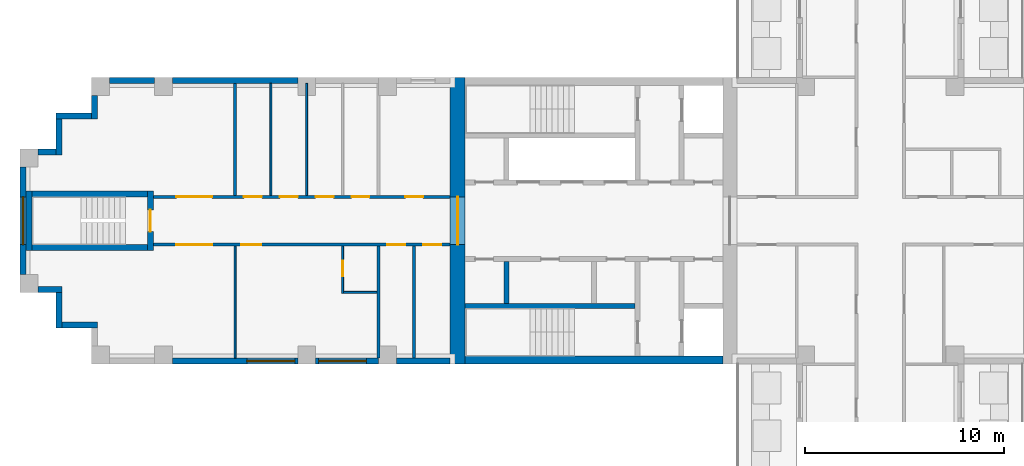
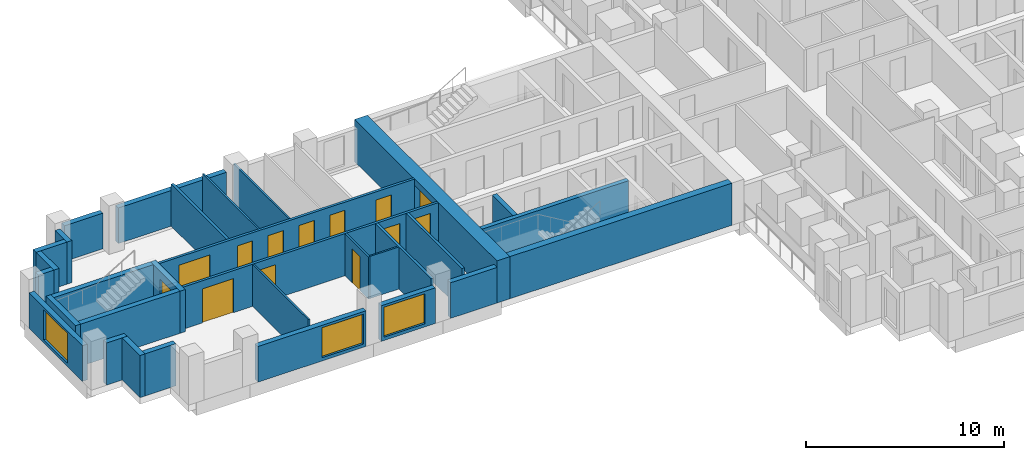
# One storey, part 2 of 10: 31 walls, 13 doors, 3 windows, 16 openings.
"""IFC4 building model written with IfcOpenShell, lengths in metres."""

from ifc_helpers import new_model, si_unit, direction, frame, frame_2d, origin, place, context, subcontext, project, spatial, rectangle, extrude, material, layer, layer_set, type_object, element, fill, save


model = new_model("IFC4")

# Units and contexts
model_context = context("Model", 3, precision=1e-05, world=origin(), true_north=direction((0.0, 1.0)))
body_context = subcontext(model_context, "Body", "Model", "MODEL_VIEW")
ifc_project = project(units=[si_unit("LENGTHUNIT", "METRE"), si_unit("AREAUNIT", "SQUARE_METRE"), si_unit("VOLUMEUNIT", "CUBIC_METRE"), si_unit("PLANEANGLEUNIT", "RADIAN"), si_unit("MASSUNIT", "GRAM", prefix="KILO")], contexts=[model_context])

# Site, building, storey
site_placement = place(None, origin())
site = spatial("IfcSite", under=ifc_project, at=site_placement, CompositionType="ELEMENT")
building_placement = place(site_placement, origin())
building = spatial("IfcBuilding", under=site, at=building_placement, Name="Fustian Cross Tower", CompositionType="ELEMENT")
storey_placement = place(building_placement, frame((0.0, 0.0, 182.699951171875)))
storey = spatial("IfcBuildingStorey", under=building, at=storey_placement, Name="L57", CompositionType="ELEMENT", Elevation=182.699951171875)

# Wall, openings, doors
ifc_material_1 = material(Name="Plasterboard on steel stud", Category="steel")
ifc_layer_1 = layer(ifc_material_1, 0.14990234375)
ifc_layer_set_1 = layer_set([ifc_layer_1], Name="Plasterboard on steel stud")
wall_type_1 = type_object("IfcWallType", Name="COMPARTMENT WALL 150 EI 60", PredefinedType="PARTITIONING", material=ifc_layer_set_1)
wall_1_placement = place(storey_placement, frame((-36.5, -1.199951171875, 0.0), z_axis=(0.0, 0.0, 1.0), x_axis=(1.0, 0.0, 0.0)))
wall_1 = element("IfcWall", 1, at=wall_1_placement, inside=storey, type_object=wall_type_1, Name="Partition 1", PredefinedType="PARTITIONING", context=body_context, shape_type="SweptSolid", body=[
    extrude(rectangle(XDim=14.89990234375, YDim=0.14990234375, at=frame_2d((7.449951171875, 0.0))), origin(), (0.0, 0.0, 1.0), 2.60009765625),
])
opening_1_placement = place(wall_1_placement, frame((13.550048828125, 0.0, 0.0)))
opening_1 = element("IfcOpeningElement", 2, at=opening_1_placement, cuts=wall_1, Name="Opening D26027", PredefinedType="OPENING", context=body_context, shape_type="SweptSolid", body=[
    extrude(rectangle(XDim=0.89990234375, YDim=2.10009765625, at=frame_2d((0.449951171875, 1.050048828125))), frame((0.0, 0.0849609375, 0.0), z_axis=(0.0, -1.0, 0.0), x_axis=(1.0, 0.0, 0.0)), (0.0, 0.0, 1.0), 0.169921875),
])
opening_2_placement = place(wall_1_placement, frame((11.75, 0.0, 0.0)))
opening_2 = element("IfcOpeningElement", 3, at=opening_2_placement, cuts=wall_1, Name="Opening D26028", PredefinedType="OPENING", context=body_context, shape_type="SweptSolid", body=[
    extrude(rectangle(XDim=0.89990234375, YDim=2.10009765625, at=frame_2d((0.449951171875, 1.050048828125))), frame((0.0, 0.0849609375, 0.0), z_axis=(0.0, -1.0, 0.0), x_axis=(1.0, 0.0, 0.0)), (0.0, 0.0, 1.0), 0.169921875),
])
opening_3_placement = place(wall_1_placement, frame((4.409912109375, 0.0, 0.0)))
opening_3 = element("IfcOpeningElement", 4, at=opening_3_placement, cuts=wall_1, Name="Opening D26030", PredefinedType="OPENING", context=body_context, shape_type="SweptSolid", body=[
    extrude(rectangle(XDim=1.0, YDim=2.10009765625, at=frame_2d((0.5, 1.050048828125))), frame((0.0, 0.0849609375, 0.0), z_axis=(0.0, -1.0, 0.0), x_axis=(1.0, 0.0, 0.0)), (0.0, 0.0, 1.0), 0.169921875),
])
opening_4_placement = place(wall_1_placement, frame((1.14990234375, 0.0, 0.0)))
opening_4 = element("IfcOpeningElement", 5, at=opening_4_placement, cuts=wall_1, Name="Opening D26031", PredefinedType="OPENING", context=body_context, shape_type="SweptSolid", body=[
    extrude(rectangle(XDim=1.800048828125, YDim=2.10009765625, at=frame_2d((0.89990234375, 1.050048828125))), frame((0.0, 0.0849609375, 0.0), z_axis=(0.0, -1.0, 0.0), x_axis=(1.0, 0.0, 0.0)), (0.0, 0.0, 1.0), 0.169921875),
])
ifc_material_2 = material(Name="Timber fire door set", Category="wood")
door_type_1 = type_object("IfcDoorType", Name="FIRE DOUBLE DOOR 1800 FD30S", OperationType="DOUBLE_DOOR_DOUBLE_SWING", PredefinedType="DOOR", material=ifc_material_2)
door_1_placement = place(opening_4_placement, origin())
door_1 = element("IfcDoor", 6, at=door_1_placement, inside=storey, type_object=door_type_1, Name="Door D26031", OperationType="DOUBLE_DOOR_DOUBLE_SWING", OverallHeight=2.10009765625, OverallWidth=1.800048828125, PredefinedType="DOOR", context=body_context, shape_type="SweptSolid", body=[
    extrude(rectangle(XDim=1.800048828125, YDim=2.10009765625, at=frame_2d((0.89990234375, 1.050048828125))), frame((0.0, 0.02490234375, 0.0), z_axis=(0.0, -1.0, 0.0), x_axis=(1.0, 0.0, 0.0)), (0.0, 0.0, 1.0), 0.050048828125),
])
fill(opening_4, door_1)
ifc_material_3 = material(Name="Timber fire door set", Category="wood")
door_type_2 = type_object("IfcDoorType", Name="FIRE SWING DOOR 1000 FD30S", OperationType="SINGLE_SWING_LEFT", PredefinedType="DOOR", material=ifc_material_3)
door_2_placement = place(opening_3_placement, frame((1.0, 0.0, 0.0), z_axis=(0.0, 0.0, 1.0), x_axis=(-1.0, 0.0, 0.0)))
door_2 = element("IfcDoor", 7, at=door_2_placement, inside=storey, type_object=door_type_2, Name="Door D26030", OperationType="SINGLE_SWING_RIGHT", OverallHeight=2.10009765625, OverallWidth=1.0, PredefinedType="DOOR", context=body_context, shape_type="SweptSolid", body=[
    extrude(rectangle(XDim=1.0, YDim=2.10009765625, at=frame_2d((0.5, 1.050048828125))), frame((0.0, 0.02490234375, 0.0), z_axis=(0.0, -1.0, 0.0), x_axis=(1.0, 0.0, 0.0)), (0.0, 0.0, 1.0), 0.050048828125),
])
fill(opening_3, door_2)
ifc_material_4 = material(Name="Timber fire door set", Category="wood")
door_type_3 = type_object("IfcDoorType", Name="FIRE SWING DOOR 900 FD30S", OperationType="SINGLE_SWING_LEFT", PredefinedType="DOOR", material=ifc_material_4)
door_3_placement = place(opening_1_placement, frame((0.89990234375, 0.0, 0.0), z_axis=(0.0, 0.0, 1.0), x_axis=(-1.0, 0.0, 0.0)))
door_3 = element("IfcDoor", 8, at=door_3_placement, inside=storey, type_object=door_type_3, Name="Door D26027", OperationType="SINGLE_SWING_LEFT", OverallHeight=2.10009765625, OverallWidth=0.89990234375, PredefinedType="DOOR", context=body_context, shape_type="SweptSolid", body=[
    extrude(rectangle(XDim=0.89990234375, YDim=2.10009765625, at=frame_2d((0.449951171875, 1.050048828125))), frame((0.0, 0.02490234375, 0.0), z_axis=(0.0, -1.0, 0.0), x_axis=(1.0, 0.0, 0.0)), (0.0, 0.0, 1.0), 0.050048828125),
])
fill(opening_1, door_3)
door_4_placement = place(opening_2_placement, origin())
door_4 = element("IfcDoor", 9, at=door_4_placement, inside=storey, type_object=door_type_3, Name="Door D26028", OperationType="SINGLE_SWING_RIGHT", OverallHeight=2.10009765625, OverallWidth=0.89990234375, PredefinedType="DOOR", context=body_context, shape_type="SweptSolid", body=[
    extrude(rectangle(XDim=0.89990234375, YDim=2.10009765625, at=frame_2d((0.449951171875, 1.050048828125))), frame((0.0, 0.02490234375, 0.0), z_axis=(0.0, -1.0, 0.0), x_axis=(1.0, 0.0, 0.0)), (0.0, 0.0, 1.0), 0.050048828125),
])
fill(opening_2, door_4)

wall_2_placement = place(storey_placement, frame((-36.5, 1.199951171875, 0.0), z_axis=(0.0, 0.0, 1.0), x_axis=(1.0, 0.0, 0.0)))
wall_2 = element("IfcWall", 10, at=wall_2_placement, inside=storey, type_object=wall_type_1, Name="Partition 2", PredefinedType="PARTITIONING", context=body_context, shape_type="SweptSolid", body=[
    extrude(rectangle(XDim=14.89990234375, YDim=0.14990234375, at=frame_2d((7.449951171875, 0.0))), origin(), (0.0, 0.0, 1.0), 2.60009765625),
])
opening_5_placement = place(wall_2_placement, frame((12.64990234375, 0.0, 0.0)))
opening_5 = element("IfcOpeningElement", 11, at=opening_5_placement, cuts=wall_2, Name="Opening D26032", PredefinedType="OPENING", context=body_context, shape_type="SweptSolid", body=[
    extrude(rectangle(XDim=0.89990234375, YDim=2.10009765625, at=frame_2d((0.449951171875, 1.050048828125))), frame((0.0, 0.0849609375, 0.0), z_axis=(0.0, -1.0, 0.0), x_axis=(1.0, 0.0, 0.0)), (0.0, 0.0, 1.0), 0.169921875),
])
opening_6_placement = place(wall_2_placement, frame((9.949951171875, 0.0, 0.0)))
opening_6 = element("IfcOpeningElement", 12, at=opening_6_placement, cuts=wall_2, Name="Opening D26033", PredefinedType="OPENING", context=body_context, shape_type="SweptSolid", body=[
    extrude(rectangle(XDim=0.89990234375, YDim=2.10009765625, at=frame_2d((0.449951171875, 1.050048828125))), frame((0.0, 0.0849609375, 0.0), z_axis=(0.0, -1.0, 0.0), x_axis=(1.0, 0.0, 0.0)), (0.0, 0.0, 1.0), 0.169921875),
])
opening_7_placement = place(wall_2_placement, frame((8.14990234375, 0.0, 0.0)))
opening_7 = element("IfcOpeningElement", 13, at=opening_7_placement, cuts=wall_2, Name="Opening D26034", PredefinedType="OPENING", context=body_context, shape_type="SweptSolid", body=[
    extrude(rectangle(XDim=0.89990234375, YDim=2.10009765625, at=frame_2d((0.449951171875, 1.050048828125))), frame((0.0, 0.0849609375, 0.0), z_axis=(0.0, -1.0, 0.0), x_axis=(1.0, 0.0, 0.0)), (0.0, 0.0, 1.0), 0.169921875),
])
opening_8_placement = place(wall_2_placement, frame((6.35009765625, 0.0, 0.0)))
opening_8 = element("IfcOpeningElement", 14, at=opening_8_placement, cuts=wall_2, Name="Opening D26035", PredefinedType="OPENING", context=body_context, shape_type="SweptSolid", body=[
    extrude(rectangle(XDim=0.89990234375, YDim=2.10009765625, at=frame_2d((0.449951171875, 1.050048828125))), frame((0.0, 0.0849609375, 0.0), z_axis=(0.0, -1.0, 0.0), x_axis=(1.0, 0.0, 0.0)), (0.0, 0.0, 1.0), 0.169921875),
])
opening_9_placement = place(wall_2_placement, frame((4.550048828125, 0.0, 0.0)))
opening_9 = element("IfcOpeningElement", 15, at=opening_9_placement, cuts=wall_2, Name="Opening D26036", PredefinedType="OPENING", context=body_context, shape_type="SweptSolid", body=[
    extrude(rectangle(XDim=0.89990234375, YDim=2.10009765625, at=frame_2d((0.449951171875, 1.050048828125))), frame((0.0, 0.0849609375, 0.0), z_axis=(0.0, -1.0, 0.0), x_axis=(1.0, 0.0, 0.0)), (0.0, 0.0, 1.0), 0.169921875),
])
opening_10_placement = place(wall_2_placement, frame((1.14990234375, 0.0, 0.0)))
opening_10 = element("IfcOpeningElement", 16, at=opening_10_placement, cuts=wall_2, Name="Opening D26037", PredefinedType="OPENING", context=body_context, shape_type="SweptSolid", body=[
    extrude(rectangle(XDim=1.800048828125, YDim=2.10009765625, at=frame_2d((0.89990234375, 1.050048828125))), frame((0.0, 0.0849609375, 0.0), z_axis=(0.0, -1.0, 0.0), x_axis=(1.0, 0.0, 0.0)), (0.0, 0.0, 1.0), 0.169921875),
])
door_5_placement = place(opening_10_placement, frame((1.800048828125, 0.0, 0.0), z_axis=(0.0, 0.0, 1.0), x_axis=(-1.0, 0.0, 0.0)))
door_5 = element("IfcDoor", 17, at=door_5_placement, inside=storey, type_object=door_type_1, Name="Door D26037", OperationType="DOUBLE_DOOR_DOUBLE_SWING", OverallHeight=2.10009765625, OverallWidth=1.800048828125, PredefinedType="DOOR", context=body_context, shape_type="SweptSolid", body=[
    extrude(rectangle(XDim=1.800048828125, YDim=2.10009765625, at=frame_2d((0.89990234375, 1.050048828125))), frame((0.0, 0.02490234375, 0.0), z_axis=(0.0, -1.0, 0.0), x_axis=(1.0, 0.0, 0.0)), (0.0, 0.0, 1.0), 0.050048828125),
])
fill(opening_10, door_5)
door_6_placement = place(opening_5_placement, origin())
door_6 = element("IfcDoor", 18, at=door_6_placement, inside=storey, type_object=door_type_3, Name="Door D26032", OperationType="SINGLE_SWING_LEFT", OverallHeight=2.10009765625, OverallWidth=0.89990234375, PredefinedType="DOOR", context=body_context, shape_type="SweptSolid", body=[
    extrude(rectangle(XDim=0.89990234375, YDim=2.10009765625, at=frame_2d((0.449951171875, 1.050048828125))), frame((0.0, 0.02490234375, 0.0), z_axis=(0.0, -1.0, 0.0), x_axis=(1.0, 0.0, 0.0)), (0.0, 0.0, 1.0), 0.050048828125),
])
fill(opening_5, door_6)
door_7_placement = place(opening_6_placement, origin())
door_7 = element("IfcDoor", 19, at=door_7_placement, inside=storey, type_object=door_type_3, Name="Door D26033", OperationType="SINGLE_SWING_RIGHT", OverallHeight=2.10009765625, OverallWidth=0.89990234375, PredefinedType="DOOR", context=body_context, shape_type="SweptSolid", body=[
    extrude(rectangle(XDim=0.89990234375, YDim=2.10009765625, at=frame_2d((0.449951171875, 1.050048828125))), frame((0.0, 0.02490234375, 0.0), z_axis=(0.0, -1.0, 0.0), x_axis=(1.0, 0.0, 0.0)), (0.0, 0.0, 1.0), 0.050048828125),
])
fill(opening_6, door_7)
door_8_placement = place(opening_7_placement, origin())
door_8 = element("IfcDoor", 20, at=door_8_placement, inside=storey, type_object=door_type_3, Name="Door D26034", OperationType="SINGLE_SWING_RIGHT", OverallHeight=2.10009765625, OverallWidth=0.89990234375, PredefinedType="DOOR", context=body_context, shape_type="SweptSolid", body=[
    extrude(rectangle(XDim=0.89990234375, YDim=2.10009765625, at=frame_2d((0.449951171875, 1.050048828125))), frame((0.0, 0.02490234375, 0.0), z_axis=(0.0, -1.0, 0.0), x_axis=(1.0, 0.0, 0.0)), (0.0, 0.0, 1.0), 0.050048828125),
])
fill(opening_7, door_8)
door_9_placement = place(opening_8_placement, origin())
door_9 = element("IfcDoor", 21, at=door_9_placement, inside=storey, type_object=door_type_3, Name="Door D26035", OperationType="SINGLE_SWING_RIGHT", OverallHeight=2.10009765625, OverallWidth=0.89990234375, PredefinedType="DOOR", context=body_context, shape_type="SweptSolid", body=[
    extrude(rectangle(XDim=0.89990234375, YDim=2.10009765625, at=frame_2d((0.449951171875, 1.050048828125))), frame((0.0, 0.02490234375, 0.0), z_axis=(0.0, -1.0, 0.0), x_axis=(1.0, 0.0, 0.0)), (0.0, 0.0, 1.0), 0.050048828125),
])
fill(opening_8, door_9)
door_10_placement = place(opening_9_placement, origin())
door_10 = element("IfcDoor", 22, at=door_10_placement, inside=storey, type_object=door_type_3, Name="Door D26036", OperationType="SINGLE_SWING_RIGHT", OverallHeight=2.10009765625, OverallWidth=0.89990234375, PredefinedType="DOOR", context=body_context, shape_type="SweptSolid", body=[
    extrude(rectangle(XDim=0.89990234375, YDim=2.10009765625, at=frame_2d((0.449951171875, 1.050048828125))), frame((0.0, 0.02490234375, 0.0), z_axis=(0.0, -1.0, 0.0), x_axis=(1.0, 0.0, 0.0)), (0.0, 0.0, 1.0), 0.050048828125),
])
fill(opening_9, door_10)

# Walls
for number, where, z_axis, x_axis, name in (
    (23, (-32.39990234375, 1.27490234375, 0.0), (0.0, 0.0, 1.0), (0.0, 1.0, 0.0), "Partition 4"),
    (24, (-25.199951171875, -6.89990234375, 0.0), (0.0, 0.0, 1.0), (0.0, 1.0, 0.0), "Partition 10"),
    (25, (-23.39990234375, -6.89990234375, 0.0), (0.0, 0.0, 1.0), (0.0, 1.0, 0.0), "Partition 12"),
):
    element("IfcWall", number, at=place(storey_placement, frame(where, z_axis=z_axis, x_axis=x_axis)), inside=storey, type_object=wall_type_1, Name=name, PredefinedType="PARTITIONING", context=body_context, shape_type="SweptSolid", body=[
        extrude(rectangle(XDim=5.625, YDim=0.14990234375, at=frame_2d((2.8125, 0.0))), origin(), (0.0, 0.0, 1.0), 2.60009765625),
    ])

# Wall, opening, door
ifc_material_5 = material(Name="Concrete C50/60", Category="concrete")
ifc_layer_2 = layer(ifc_material_5, 0.75)
ifc_layer_set_2 = layer_set([ifc_layer_2], Name="Concrete C50/60")
wall_type_2 = type_object("IfcWallType", Name="CORE END WALL 750 C50/60", PredefinedType="SHEAR", material=ifc_layer_set_2)
wall_3_placement = place(storey_placement, frame((-21.22509765625, -7.199951171875, 0.0), z_axis=(0.0, 0.0, 1.0), x_axis=(0.0, 1.0, 0.0)))
wall_3 = element("IfcWall", 26, at=wall_3_placement, inside=storey, type_object=wall_type_2, Name="Core end wall", PredefinedType="SHEAR", context=body_context, shape_type="SweptSolid", body=[
    extrude(rectangle(XDim=14.39990234375, YDim=0.75, at=frame_2d((7.199951171875, 0.0))), origin(), (0.0, 0.0, 1.0), 2.60009765625),
])
opening_11_placement = place(wall_3_placement, frame((6.0, 0.0, 0.0)))
opening_11 = element("IfcOpeningElement", 27, at=opening_11_placement, cuts=wall_3, Name="Opening CD-23-30", PredefinedType="OPENING", context=body_context, shape_type="SweptSolid", body=[
    extrude(rectangle(XDim=2.39990234375, YDim=2.199951171875, at=frame_2d((1.199951171875, 1.10009765625))), frame((0.0, 0.385009765625, 0.0), z_axis=(0.0, -1.0, 0.0), x_axis=(1.0, 0.0, 0.0)), (0.0, 0.0, 1.0), 0.77001953125),
])
ifc_material_6 = material(Name="Steel", Category="steel")
door_type_4 = type_object("IfcDoorType", Name="FIRE DOOR FD30S DOUBLE 2400X2200", OperationType="DOUBLE_DOOR_DOUBLE_SWING", PredefinedType="DOOR", material=ifc_material_6)
door_11_placement = place(opening_11_placement, frame((2.39990234375, 0.0, 0.0), z_axis=(0.0, 0.0, 1.0), x_axis=(-1.0, 0.0, 0.0)))
door_11 = element("IfcDoor", 28, at=door_11_placement, inside=storey, type_object=door_type_4, Name="Core door CD-23-30", OperationType="DOUBLE_DOOR_DOUBLE_SWING", OverallHeight=2.199951171875, OverallWidth=2.39990234375, PredefinedType="DOOR", context=body_context, shape_type="SweptSolid", body=[
    extrude(rectangle(XDim=2.39990234375, YDim=2.199951171875, at=frame_2d((1.199951171875, 1.10009765625))), frame((0.0, 0.02490234375, 0.0), z_axis=(0.0, -1.0, 0.0), x_axis=(1.0, 0.0, 0.0)), (0.0, 0.0, 1.0), 0.050048828125),
])
fill(opening_11, door_11)

# Walls
ifc_material_7 = material(Name="Concrete C50/60", Category="concrete")
ifc_layer_3 = layer(ifc_material_7, 0.39990234375)
ifc_layer_set_3 = layer_set([ifc_layer_3], Name="Concrete C50/60")
wall_type_3 = type_object("IfcWallType", Name="CORE FACADE WALL 400 C50/60", PredefinedType="SHEAR", material=ifc_layer_set_3)
wall_4_placement = place(storey_placement, frame((-7.89990234375, -7.0, 0.0), z_axis=(0.0, 0.0, 1.0), x_axis=(-1.0, 0.0, 0.0)))
element("IfcWall", 29, at=wall_4_placement, inside=storey, type_object=wall_type_3, Name="Core facade wall", PredefinedType="SHEAR", context=body_context, shape_type="SweptSolid", body=[
    extrude(rectangle(XDim=12.9501953125, YDim=0.39990234375, at=frame_2d((6.47509765625, 0.0))), origin(), (0.0, 0.0, 1.0), 2.60009765625),
])
ifc_material_8 = material(Name="Concrete C50/60", Category="concrete")
ifc_layer_4 = layer(ifc_material_8, 0.25)
ifc_layer_set_4 = layer_set([ifc_layer_4], Name="Concrete C50/60")
wall_type_4 = type_object("IfcWallType", Name="CORE SHAFT WALL 250 C50/60", PredefinedType="SHEAR", material=ifc_layer_set_4)
wall_5_placement = place(storey_placement, frame((-12.300048828125, -4.27490234375, 0.0), z_axis=(0.0, 0.0, 1.0), x_axis=(-1.0, 0.0, 0.0)))
element("IfcWall", 30, at=wall_5_placement, inside=storey, type_object=wall_type_4, Name="Core shaft wall", PredefinedType="SHEAR", context=body_context, shape_type="SweptSolid", body=[
    extrude(rectangle(XDim=8.550048828125, YDim=0.25, at=frame_2d((4.27490234375, 0.0))), origin(), (0.0, 0.0, 1.0), 2.60009765625),
])
ifc_material_9 = material(Name="Plasterboard on steel stud", Category="steel")
ifc_layer_5 = layer(ifc_material_9, 0.10009765625)
ifc_layer_set_5 = layer_set([ifc_layer_5], Name="Plasterboard on steel stud")
wall_type_5 = type_object("IfcWallType", Name="PARTITION 100 STUD", PredefinedType="PARTITIONING", material=ifc_layer_set_5)
for number, where, z_axis, x_axis, name in (
    (31, (-32.39990234375, -6.89990234375, 0.0), (0.0, 0.0, 1.0), (0.0, 1.0, 0.0), "Partition 3"),
    (32, (-30.60009765625, 1.27490234375, 0.0), (0.0, 0.0, 1.0), (0.0, 1.0, 0.0), "Partition 5"),
    (33, (-28.800048828125, 1.27490234375, 0.0), (0.0, 0.0, 1.0), (0.0, 1.0, 0.0), "Partition 6"),
):
    element("IfcWall", number, at=place(storey_placement, frame(where, z_axis=z_axis, x_axis=x_axis)), inside=storey, type_object=wall_type_5, Name=name, PredefinedType="PARTITIONING", context=body_context, shape_type="SweptSolid", body=[
        extrude(rectangle(XDim=5.625, YDim=0.10009765625, at=frame_2d((2.8125, 0.0))), origin(), (0.0, 0.0, 1.0), 2.60009765625),
    ])

# Wall, opening, door
wall_6_placement = place(storey_placement, frame((-27.0, -3.64990234375, 0.0), z_axis=(0.0, 0.0, 1.0), x_axis=(0.0, 1.0, 0.0)))
wall_6 = element("IfcWall", 34, at=wall_6_placement, inside=storey, type_object=wall_type_5, Name="Partition 7", PredefinedType="PARTITIONING", context=body_context, shape_type="SweptSolid", body=[
    extrude(rectangle(XDim=2.375, YDim=0.10009765625, at=frame_2d((1.1875, 0.0))), origin(), (0.0, 0.0, 1.0), 2.60009765625),
])
opening_12_placement = place(wall_6_placement, frame((0.85009765625, 0.0, 0.0)))
opening_12 = element("IfcOpeningElement", 35, at=opening_12_placement, cuts=wall_6, Name="Opening D26029", PredefinedType="OPENING", context=body_context, shape_type="SweptSolid", body=[
    extrude(rectangle(XDim=0.800048828125, YDim=2.10009765625, at=frame_2d((0.39990234375, 1.050048828125))), frame((0.0, 0.06005859375, 0.0), z_axis=(0.0, -1.0, 0.0), x_axis=(1.0, 0.0, 0.0)), (0.0, 0.0, 1.0), 0.1201171875),
])
ifc_material_10 = material(Name="Painted timber", Category="wood")
door_type_5 = type_object("IfcDoorType", Name="SWING DOOR 800", OperationType="SINGLE_SWING_LEFT", PredefinedType="DOOR", material=ifc_material_10)
door_12_placement = place(opening_12_placement, frame((0.800048828125, 0.0, 0.0), z_axis=(0.0, 0.0, 1.0), x_axis=(-1.0, 0.0, 0.0)))
door_12 = element("IfcDoor", 36, at=door_12_placement, inside=storey, type_object=door_type_5, Name="Door D26029", OperationType="SINGLE_SWING_RIGHT", OverallHeight=2.10009765625, OverallWidth=0.800048828125, PredefinedType="DOOR", context=body_context, shape_type="SweptSolid", body=[
    extrude(rectangle(XDim=0.800048828125, YDim=2.10009765625, at=frame_2d((0.39990234375, 1.050048828125))), frame((0.0, 0.02490234375, 0.0), z_axis=(0.0, -1.0, 0.0), x_axis=(1.0, 0.0, 0.0)), (0.0, 0.0, 1.0), 0.050048828125),
])
fill(opening_12, door_12)

# Walls
wall_7_placement = place(storey_placement, frame((-26.949951171875, -3.60009765625, 0.0), z_axis=(0.0, 0.0, 1.0), x_axis=(1.0, 0.0, 0.0)))
element("IfcWall", 37, at=wall_7_placement, inside=storey, type_object=wall_type_5, Name="Partition 8", PredefinedType="PARTITIONING", context=body_context, shape_type="SweptSolid", body=[
    extrude(rectangle(XDim=1.675048828125, YDim=0.10009765625, at=frame_2d((0.83740234375, 0.0))), origin(), (0.0, 0.0, 1.0), 2.60009765625),
])
ifc_material_11 = material(Name="Concrete C40/50", Category="concrete")
ifc_layer_6 = layer(ifc_material_11, 0.25)
ifc_layer_set_6 = layer_set([ifc_layer_6], Name="Concrete C40/50")
wall_type_6 = type_object("IfcWallType", Name="SHAFT PARTITION WALL 250 C40/50", PredefinedType="PARTITIONING", material=ifc_layer_set_6)
wall_8_placement = place(storey_placement, frame((-18.77490234375, -2.050048828125, 0.0), z_axis=(0.0, 0.0, 1.0), x_axis=(0.0, -1.0, 0.0)))
element("IfcWall", 38, at=wall_8_placement, inside=storey, type_object=wall_type_6, Name="Core shaft wall", PredefinedType="PARTITIONING", context=body_context, shape_type="SweptSolid", body=[
    extrude(rectangle(XDim=2.099853515625, YDim=0.25, at=frame_2d((1.0498046875, 0.0))), origin(), (0.0, 0.0, 1.0), 2.60009765625),
])

# Wall, opening, door
ifc_material_12 = material(Name="Concrete C50/60", Category="concrete")
ifc_layer_7 = layer(ifc_material_12, 0.300048828125)
ifc_layer_set_7 = layer_set([ifc_layer_7], Name="Concrete C50/60")
wall_type_7 = type_object("IfcWallType", Name="STAIR ENCLOSURE WALL 300 C50/60", PredefinedType="SHEAR", material=ifc_layer_set_7)
wall_9_placement = place(storey_placement, frame((-36.64990234375, -1.5, 0.0), z_axis=(0.0, 0.0, 1.0), x_axis=(0.0, 1.0, 0.0)))
wall_9 = element("IfcWall", 39, at=wall_9_placement, inside=storey, type_object=wall_type_7, Name="Stair enclosure wall", PredefinedType="SHEAR", context=body_context, shape_type="SweptSolid", body=[
    extrude(rectangle(XDim=3.0, YDim=0.300048828125, at=frame_2d((1.5, 0.0))), origin(), (0.0, 0.0, 1.0), 2.60009765625),
])
opening_13_placement = place(wall_9_placement, frame((0.949951171875, 0.0, 0.0)))
opening_13 = element("IfcOpeningElement", 40, at=opening_13_placement, cuts=wall_9, Name="Opening CD-23-35", PredefinedType="OPENING", context=body_context, shape_type="SweptSolid", body=[
    extrude(rectangle(XDim=1.10009765625, YDim=2.10009765625, at=frame_2d((0.550048828125, 1.050048828125))), frame((0.0, 0.159912109375, 0.0), z_axis=(0.0, -1.0, 0.0), x_axis=(1.0, 0.0, 0.0)), (0.0, 0.0, 1.0), 0.320068359375),
])
ifc_material_13 = material(Name="Steel", Category="steel")
door_type_6 = type_object("IfcDoorType", Name="FIRE DOOR FD60S 1100X2100", OperationType="SINGLE_SWING_LEFT", PredefinedType="DOOR", material=ifc_material_13)
door_13_placement = place(opening_13_placement, origin())
door_13 = element("IfcDoor", 41, at=door_13_placement, inside=storey, type_object=door_type_6, Name="Core door CD-23-35", OperationType="SINGLE_SWING_LEFT", OverallHeight=2.10009765625, OverallWidth=1.10009765625, PredefinedType="DOOR", context=body_context, shape_type="SweptSolid", body=[
    extrude(rectangle(XDim=1.10009765625, YDim=2.10009765625, at=frame_2d((0.550048828125, 1.050048828125))), frame((0.0, 0.02490234375, 0.0), z_axis=(0.0, -1.0, 0.0), x_axis=(1.0, 0.0, 0.0)), (0.0, 0.0, 1.0), 0.050048828125),
])
fill(opening_13, door_13)

# Walls
wall_10_placement = place(storey_placement, frame((-42.75, -1.5, 0.0), z_axis=(0.0, 0.0, 1.0), x_axis=(0.0, 1.0, 0.0)))
element("IfcWall", 42, at=wall_10_placement, inside=storey, type_object=wall_type_7, Name="Stair enclosure wall", PredefinedType="SHEAR", context=body_context, shape_type="SweptSolid", body=[
    extrude(rectangle(XDim=3.0, YDim=0.300048828125, at=frame_2d((1.5, 0.0))), origin(), (0.0, 0.0, 1.0), 2.60009765625),
])
for number, where, z_axis, x_axis, name in (
    (43, (-36.800048828125, -1.35009765625, 0.0), (0.0, 0.0, 1.0), (-1.0, 0.0, 0.0), "Stair enclosure wall"),
    (44, (-36.800048828125, 1.35009765625, 0.0), (0.0, 0.0, 1.0), (-1.0, 0.0, 0.0), "Stair enclosure wall"),
):
    element("IfcWall", number, at=place(storey_placement, frame(where, z_axis=z_axis, x_axis=x_axis)), inside=storey, type_object=wall_type_7, Name=name, PredefinedType="SHEAR", context=body_context, shape_type="SweptSolid", body=[
        extrude(rectangle(XDim=5.800048828125, YDim=0.300048828125, at=frame_2d((2.89990234375, 0.0))), origin(), (0.0, 0.0, 1.0), 2.60009765625),
    ])
ifc_material_14 = material(Name="Dark aluminium cladding on insulated backing wall", Category="aluminium")
ifc_layer_8 = layer(ifc_material_14, 0.300048828125)
ifc_layer_set_8 = layer_set([ifc_layer_8], Name="Dark aluminium cladding on insulated backing wall")
wall_type_8 = type_object("IfcWallType", Name="XW1 EXTERNAL WALL 300", PredefinedType="SOLIDWALL", material=ifc_layer_set_8)
wall_11_placement = place(storey_placement, frame((-29.25, 7.050048828125, 0.0), z_axis=(0.0, 0.0, 1.0), x_axis=(-1.0, 0.0, 0.0)))
element("IfcWall", 45, at=wall_11_placement, inside=storey, type_object=wall_type_8, Name="External wall", PredefinedType="SOLIDWALL", context=body_context, shape_type="SweptSolid", body=[
    extrude(rectangle(XDim=6.300048828125, YDim=0.300048828125, at=frame_2d((3.14990234375, 0.0))), origin(), (0.0, 0.0, 1.0), 2.199951171875),
])
wall_12_placement = place(storey_placement, frame((-36.449951171875, 7.050048828125, 0.0), z_axis=(0.0, 0.0, 1.0), x_axis=(-1.0, 0.0, 0.0)))
element("IfcWall", 46, at=wall_12_placement, inside=storey, type_object=wall_type_8, Name="External wall", PredefinedType="SOLIDWALL", context=body_context, shape_type="SweptSolid", body=[
    extrude(rectangle(XDim=2.25, YDim=0.300048828125, at=frame_2d((1.125, 0.0))), origin(), (0.0, 0.0, 1.0), 2.199951171875),
])
wall_13_placement = place(storey_placement, frame((-39.449951171875, 6.300048828125, 0.0), z_axis=(0.0, 0.0, 1.0), x_axis=(0.0, -1.0, 0.0)))
element("IfcWall", 47, at=wall_13_placement, inside=storey, type_object=wall_type_8, Name="External wall", PredefinedType="SOLIDWALL", context=body_context, shape_type="SweptSolid", body=[
    extrude(rectangle(XDim=1.199951171875, YDim=0.300048828125, at=frame_2d((0.60009765625, 0.0))), origin(), (0.0, 0.0, 1.0), 2.60009765625),
])
wall_14_placement = place(storey_placement, frame((-39.60009765625, 5.25, 0.0), z_axis=(0.0, 0.0, 1.0), x_axis=(-1.0, 0.0, 0.0)))
element("IfcWall", 48, at=wall_14_placement, inside=storey, type_object=wall_type_8, Name="External wall", PredefinedType="SOLIDWALL", context=body_context, shape_type="SweptSolid", body=[
    extrude(rectangle(XDim=1.7998046875, YDim=0.300048828125, at=frame_2d((0.89990234375, 0.0))), origin(), (0.0, 0.0, 1.0), 2.60009765625),
])
wall_15_placement = place(storey_placement, frame((-41.25, 5.10009765625, 0.0), z_axis=(0.0, 0.0, 1.0), x_axis=(0.0, -1.0, 0.0)))
element("IfcWall", 49, at=wall_15_placement, inside=storey, type_object=wall_type_8, Name="External wall", PredefinedType="SOLIDWALL", context=body_context, shape_type="SweptSolid", body=[
    extrude(rectangle(XDim=1.800048828125, YDim=0.300048828125, at=frame_2d((0.89990234375, 0.0))), origin(), (0.0, 0.0, 1.0), 2.60009765625),
])
wall_16_placement = place(storey_placement, frame((-41.39990234375, 3.449951171875, 0.0), z_axis=(0.0, 0.0, 1.0), x_axis=(-1.0, 0.0, 0.0)))
element("IfcWall", 50, at=wall_16_placement, inside=storey, type_object=wall_type_8, Name="External wall", PredefinedType="SOLIDWALL", context=body_context, shape_type="SweptSolid", body=[
    extrude(rectangle(XDim=0.900146484375, YDim=0.300048828125, at=frame_2d((0.4501953125, 0.0))), origin(), (0.0, 0.0, 1.0), 2.60009765625),
])

# Wall, opening, window
wall_17_placement = place(storey_placement, frame((-43.050048828125, 2.699951171875, 0.0), z_axis=(0.0, 0.0, 1.0), x_axis=(0.0, -1.0, 0.0)))
wall_17 = element("IfcWall", 51, at=wall_17_placement, inside=storey, type_object=wall_type_8, Name="External wall", PredefinedType="SOLIDWALL", context=body_context, shape_type="SweptSolid", body=[
    extrude(rectangle(XDim=5.39990234375, YDim=0.300048828125, at=frame_2d((2.699951171875, 0.0))), origin(), (0.0, 0.0, 1.0), 2.199951171875),
])
opening_14_placement = place(wall_17_placement, frame((1.5, 0.0, 0.199951171875)))
opening_14 = element("IfcOpeningElement", 52, at=opening_14_placement, cuts=wall_17, Name="Opening WN1", PredefinedType="OPENING", context=body_context, shape_type="SweptSolid", body=[
    extrude(rectangle(XDim=2.39990234375, YDim=1.85009765625, at=frame_2d((1.199951171875, 0.925048828125))), frame((0.0, 0.159912109375, 0.0), z_axis=(0.0, -1.0, 0.0), x_axis=(1.0, 0.0, 0.0)), (0.0, 0.0, 1.0), 0.320068359375),
])
ifc_material_15 = material(Name="Dark anodised aluminium and double glazing", Category="aluminium")
window_type = type_object("IfcWindowType", Name="WN1 WINDOW 2400X1850", PartitioningType="SINGLE_PANEL", PredefinedType="WINDOW", material=ifc_material_15)
window_1_placement = place(opening_14_placement, origin())
window_1 = element("IfcWindow", 53, at=window_1_placement, inside=storey, type_object=window_type, Name="Window", OverallHeight=1.85009765625, OverallWidth=2.39990234375, PartitioningType="SINGLE_PANEL", PredefinedType="WINDOW", context=body_context, shape_type="SweptSolid", body=[
    extrude(rectangle(XDim=2.39990234375, YDim=1.85009765625, at=frame_2d((1.199951171875, 0.925048828125))), frame((0.0, 0.030029296875, 0.0), z_axis=(0.0, -1.0, 0.0), x_axis=(1.0, 0.0, 0.0)), (0.0, 0.0, 1.0), 0.06005859375),
])
fill(opening_14, window_1)

# Walls
wall_18_placement = place(storey_placement, frame((-42.300048828125, -3.449951171875, 0.0), z_axis=(0.0, 0.0, 1.0), x_axis=(1.0, 0.0, 0.0)))
element("IfcWall", 54, at=wall_18_placement, inside=storey, type_object=wall_type_8, Name="External wall", PredefinedType="SOLIDWALL", context=body_context, shape_type="SweptSolid", body=[
    extrude(rectangle(XDim=1.199951171875, YDim=0.300048828125, at=frame_2d((0.60009765625, 0.0))), origin(), (0.0, 0.0, 1.0), 2.60009765625),
])
wall_19_placement = place(storey_placement, frame((-41.25, -3.60009765625, 0.0), z_axis=(0.0, 0.0, 1.0), x_axis=(0.0, -1.0, 0.0)))
element("IfcWall", 55, at=wall_19_placement, inside=storey, type_object=wall_type_8, Name="External wall", PredefinedType="SOLIDWALL", context=body_context, shape_type="SweptSolid", body=[
    extrude(rectangle(XDim=1.7998046875, YDim=0.300048828125, at=frame_2d((0.89990234375, 0.0))), origin(), (0.0, 0.0, 1.0), 2.60009765625),
])
wall_20_placement = place(storey_placement, frame((-41.10009765625, -5.25, 0.0), z_axis=(0.0, 0.0, 1.0), x_axis=(1.0, 0.0, 0.0)))
element("IfcWall", 56, at=wall_20_placement, inside=storey, type_object=wall_type_8, Name="External wall", PredefinedType="SOLIDWALL", context=body_context, shape_type="SweptSolid", body=[
    extrude(rectangle(XDim=1.800048828125, YDim=0.300048828125, at=frame_2d((0.89990234375, 0.0))), origin(), (0.0, 0.0, 1.0), 2.60009765625),
])

# Wall, opening, window
wall_21_placement = place(storey_placement, frame((-35.550048828125, -7.050048828125, 0.0), z_axis=(0.0, 0.0, 1.0), x_axis=(1.0, 0.0, 0.0)))
wall_21 = element("IfcWall", 57, at=wall_21_placement, inside=storey, type_object=wall_type_8, Name="External wall", PredefinedType="SOLIDWALL", context=body_context, shape_type="SweptSolid", body=[
    extrude(rectangle(XDim=6.300048828125, YDim=0.300048828125, at=frame_2d((3.14990234375, 0.0))), origin(), (0.0, 0.0, 1.0), 2.199951171875),
])
opening_15_placement = place(wall_21_placement, frame((3.75, 0.0, 0.199951171875)))
opening_15 = element("IfcOpeningElement", 58, at=opening_15_placement, cuts=wall_21, Name="Opening WN1", PredefinedType="OPENING", context=body_context, shape_type="SweptSolid", body=[
    extrude(rectangle(XDim=2.39990234375, YDim=1.85009765625, at=frame_2d((1.199951171875, 0.925048828125))), frame((0.0, 0.159912109375, 0.0), z_axis=(0.0, -1.0, 0.0), x_axis=(1.0, 0.0, 0.0)), (0.0, 0.0, 1.0), 0.320068359375),
])
window_2_placement = place(opening_15_placement, origin())
window_2 = element("IfcWindow", 59, at=window_2_placement, inside=storey, type_object=window_type, Name="Window", OverallHeight=1.85009765625, OverallWidth=2.39990234375, PartitioningType="SINGLE_PANEL", PredefinedType="WINDOW", context=body_context, shape_type="SweptSolid", body=[
    extrude(rectangle(XDim=2.39990234375, YDim=1.85009765625, at=frame_2d((1.199951171875, 0.925048828125))), frame((0.0, 0.030029296875, 0.0), z_axis=(0.0, -1.0, 0.0), x_axis=(1.0, 0.0, 0.0)), (0.0, 0.0, 1.0), 0.06005859375),
])
fill(opening_15, window_2)

wall_22_placement = place(storey_placement, frame((-28.35009765625, -7.050048828125, 0.0), z_axis=(0.0, 0.0, 1.0), x_axis=(1.0, 0.0, 0.0)))
wall_22 = element("IfcWall", 60, at=wall_22_placement, inside=storey, type_object=wall_type_8, Name="External wall", PredefinedType="SOLIDWALL", context=body_context, shape_type="SweptSolid", body=[
    extrude(rectangle(XDim=3.150146484375, YDim=0.300048828125, at=frame_2d((1.5751953125, 0.0))), origin(), (0.0, 0.0, 1.0), 2.199951171875),
])
opening_16_placement = place(wall_22_placement, frame((0.14990234375, 0.0, 0.199951171875)))
opening_16 = element("IfcOpeningElement", 61, at=opening_16_placement, cuts=wall_22, Name="Opening WN1", PredefinedType="OPENING", context=body_context, shape_type="SweptSolid", body=[
    extrude(rectangle(XDim=2.39990234375, YDim=1.85009765625, at=frame_2d((1.199951171875, 0.925048828125))), frame((0.0, 0.159912109375, 0.0), z_axis=(0.0, -1.0, 0.0), x_axis=(1.0, 0.0, 0.0)), (0.0, 0.0, 1.0), 0.320068359375),
])
window_3_placement = place(opening_16_placement, origin())
window_3 = element("IfcWindow", 62, at=window_3_placement, inside=storey, type_object=window_type, Name="Window", OverallHeight=1.85009765625, OverallWidth=2.39990234375, PartitioningType="SINGLE_PANEL", PredefinedType="WINDOW", context=body_context, shape_type="SweptSolid", body=[
    extrude(rectangle(XDim=2.39990234375, YDim=1.85009765625, at=frame_2d((1.199951171875, 0.925048828125))), frame((0.0, 0.030029296875, 0.0), z_axis=(0.0, -1.0, 0.0), x_axis=(1.0, 0.0, 0.0)), (0.0, 0.0, 1.0), 0.06005859375),
])
fill(opening_16, window_3)

# Wall
wall_23_placement = place(storey_placement, frame((-24.300048828125, -7.050048828125, 0.0), z_axis=(0.0, 0.0, 1.0), x_axis=(1.0, 0.0, 0.0)))
element("IfcWall", 63, at=wall_23_placement, inside=storey, type_object=wall_type_8, Name="External wall", PredefinedType="SOLIDWALL", context=body_context, shape_type="SweptSolid", body=[
    extrude(rectangle(XDim=2.699951171875, YDim=0.300048828125, at=frame_2d((1.35009765625, 0.0))), origin(), (0.0, 0.0, 1.0), 2.199951171875),
])

save(model, "model.ifc")
